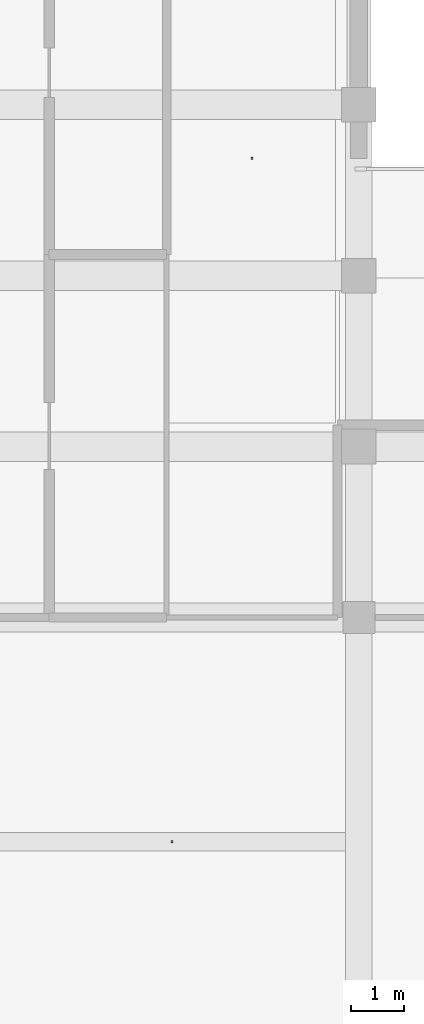
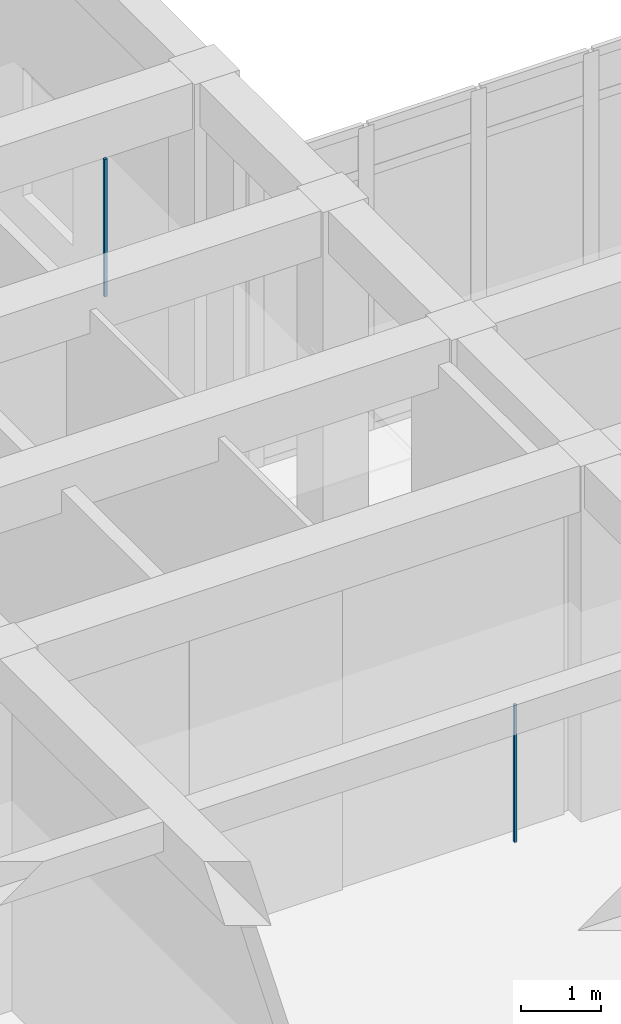
# One storey, part 125 of 157: 2 discrete accessories.
"""IFC4 building model written with IfcOpenShell, lengths in metres."""

from ifc_helpers import new_model, si_unit, direction, frame, origin, origin_2d, place, context, subcontext, project, spatial, rectangle, extrude, material, type_object, element, save


model = new_model("IFC4")

# Units and contexts
model_context = context("Model", 3, precision=1e-05, world=origin(), true_north=direction((0.0, 1.0)))
body_context = subcontext(model_context, "Body", "Model", "MODEL_VIEW")
ifc_project = project(units=[si_unit("LENGTHUNIT", "METRE"), si_unit("AREAUNIT", "SQUARE_METRE"), si_unit("VOLUMEUNIT", "CUBIC_METRE"), si_unit("PLANEANGLEUNIT", "RADIAN"), si_unit("MASSUNIT", "GRAM", prefix="KILO")], contexts=[model_context])

# Site, building, storey
site_placement = place(None, origin())
site = spatial("IfcSite", under=ifc_project, at=site_placement, CompositionType="ELEMENT")
building_placement = place(site_placement, origin())
building = spatial("IfcBuilding", under=site, at=building_placement, Name="Varncliffe General Hospital", CompositionType="ELEMENT")
storey_placement = place(building_placement, frame((0.0, 0.0, 5.39990234375)))
storey = spatial("IfcBuildingStorey", under=building, at=storey_placement, Name="L01", CompositionType="ELEMENT", Elevation=5.39990234375)

# Discrete accessories
ifc_material = material(Name="Powder-coated hospital steel guardrail and handrail", Category="steel")
discrete_accessory_type = type_object("IfcDiscreteAccessoryType", Name="Suspended Ceiling Hanger Bracket CH01", PredefinedType="BRACKET", material=ifc_material)
for number, where, z_axis, x_axis, name in (
    (1, (65.199951171875, 108.199951171875, 3.18994140625), (0.0, 0.0, 1.0), (1.0, 0.0, 0.0), "L01 Suspended Ceiling Hanger 114"),
    (2, (63.699951171875, 95.39990234375, 3.18994140625), (0.0, 0.0, 1.0), (1.0, 0.0, 0.0), "L01 Suspended Ceiling Hanger 175"),
):
    element("IfcDiscreteAccessory", number, at=place(storey_placement, frame(where, z_axis=z_axis, x_axis=x_axis)), inside=storey, type_object=discrete_accessory_type, Name=name, PredefinedType="BRACKET", context=body_context, shape_type="SweptSolid", body=[
        extrude(rectangle(XDim=0.0400390625, YDim=0.0400390625, at=origin_2d()), origin(), (0.0, 0.0, 1.0), 2.090087890625),
    ])

save(model, "model.ifc")
